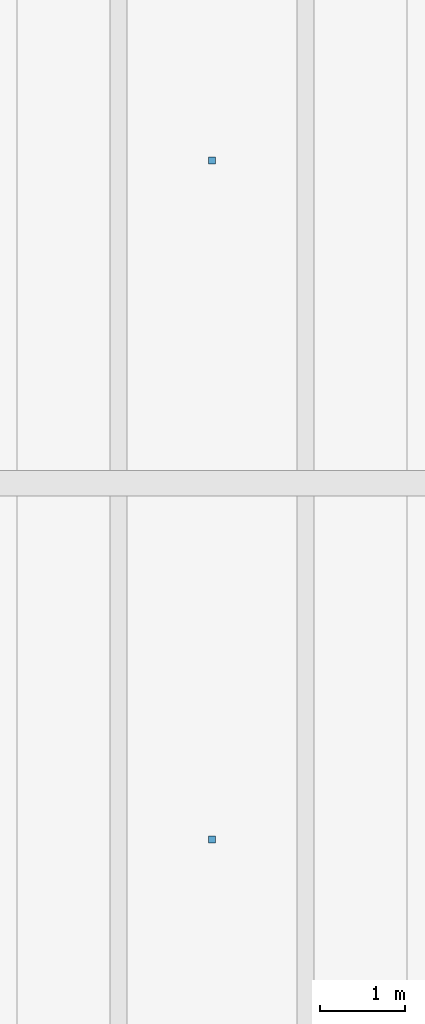
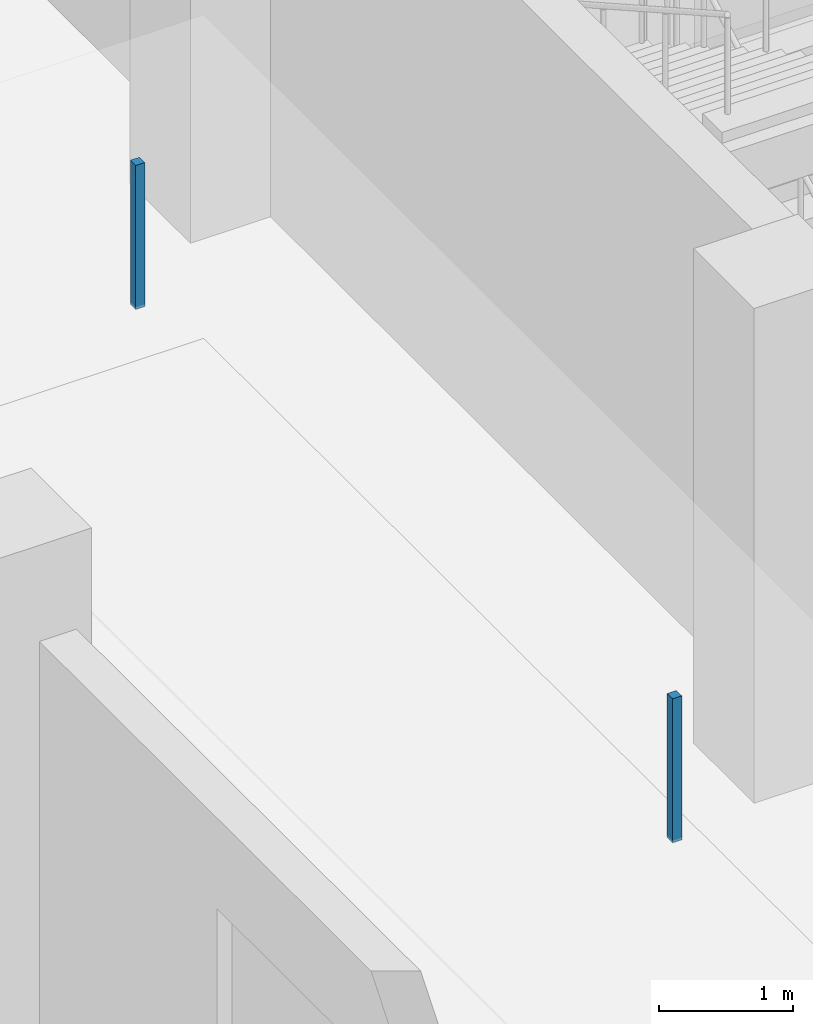
# One storey, part 56 of 76: 2 discrete accessories.
"""IFC4 building model written with IfcOpenShell, lengths in metres."""

import ifcopenshell
import ifcopenshell.guid

model = None  # the IFC model being written
_history = None  # IfcOwnerHistory: only IFC2X3 demands one
_inside = {}  # id of a spatial element -> (the spatial element, [elements in it])
_under = {}  # id of a project, library or spatial element -> (it, [spatial elements below it])
_declared = {}  # id of a project -> (the project, [libraries it declares])
_typed = {}  # id of a type object -> (the type object, [elements of that type])
_made_of = {}  # id of a material, layer set ... -> (it, [elements and type objects made of it])


def new_model(schema):
    """Start an empty IFC model of exactly this schema.

    Asked for "IFC4X3", IfcOpenShell would pick the latest addendum, in which some entities
    have other attributes; the version numbers below select the first issue.
    IFC2X3 requires an IfcOwnerHistory on every rooted entity: one is made here for all.
    """
    global model, _history
    if schema == "IFC4X3":
        model = ifcopenshell.file(schema_version=(4, 3, 0, 0))
    else:
        model = ifcopenshell.file(schema=schema)
    _inside.clear()
    _under.clear()
    _declared.clear()
    _typed.clear()
    _made_of.clear()
    _history = None
    if model.schema == "IFC2X3":
        org = make("IfcOrganization", Name="unknown")
        user = make(
            "IfcPersonAndOrganization",
            ThePerson=make("IfcPerson", FamilyName="unknown"),
            TheOrganization=org,
        )
        app = make(
            "IfcApplication",
            ApplicationDeveloper=org,
            Version="unknown",
            ApplicationFullName="unknown",
            ApplicationIdentifier="unknown",
        )
        _history = make(
            "IfcOwnerHistory",
            OwningUser=user,
            OwningApplication=app,
            ChangeAction="ADDED",
            CreationDate=0,
        )
    return model


def make(cls, **values):
    """One entity of the class cls with the attributes given. An attribute that is None is left unset."""
    return model.create_entity(
        cls, **{name: value for name, value in values.items() if value is not None}
    )


def rooted(cls, **values):
    """An entity with a GlobalId (a new one), such as an element, a storey or a relation."""
    return make(cls, GlobalId=ifcopenshell.guid.new(), OwnerHistory=_history, **values)


def si_unit(unit_type, name, prefix=None):
    """IfcSIUnit, for example si_unit("LENGTHUNIT", "METRE", prefix="MILLI")."""
    return make("IfcSIUnit", UnitType=unit_type, Prefix=prefix, Name=name)


def assignment(units):
    """IfcUnitAssignment: the units of a project."""
    return None if units is None else make("IfcUnitAssignment", Units=units)


def point(xyz):
    """IfcCartesianPoint."""
    return None if xyz is None else make("IfcCartesianPoint", Coordinates=xyz)


def direction(xyz):
    """IfcDirection."""
    return None if xyz is None else make("IfcDirection", DirectionRatios=xyz)


def frame(location, z_axis=None, x_axis=None):
    """IfcAxis2Placement3D, a coordinate frame: its origin and axes. An axis left out is left unset."""
    return make(
        "IfcAxis2Placement3D",
        Location=point(location),
        Axis=direction(z_axis),
        RefDirection=direction(x_axis),
    )


def frame_2d(location, x_axis=None):
    """IfcAxis2Placement2D, a coordinate frame in the plane: its origin and x axis."""
    return make(
        "IfcAxis2Placement2D", Location=point(location), RefDirection=direction(x_axis)
    )


def origin():
    """The frame at (0, 0, 0) with its axes left unset."""
    return frame((0.0, 0.0, 0.0))


def origin_2d():
    """The frame at (0, 0) in the plane with its x axis left unset."""
    return frame_2d((0.0, 0.0))


def place(relative_to, where):
    """IfcLocalPlacement: puts the frame where relative to a parent placement (None: the world)."""
    return make(
        "IfcLocalPlacement", PlacementRelTo=relative_to, RelativePlacement=where
    )


def context(
    kind, dimensions, precision=None, world=None, true_north=None, identifier=None
):
    """IfcGeometricRepresentationContext, for example the 3D "Model" context."""
    return make(
        "IfcGeometricRepresentationContext",
        ContextIdentifier=identifier,
        ContextType=kind,
        CoordinateSpaceDimension=dimensions,
        Precision=precision,
        WorldCoordinateSystem=world,
        TrueNorth=true_north,
    )


def subcontext(parent, identifier, kind, view, scale=None):
    """IfcGeometricRepresentationSubContext, for example "Body" below "Model"."""
    return make(
        "IfcGeometricRepresentationSubContext",
        ContextIdentifier=identifier,
        ContextType=kind,
        ParentContext=parent,
        TargetScale=scale,
        TargetView=view,
    )


def project(units=None, contexts=None):
    """IfcProject with its units and contexts."""
    return rooted(
        "IfcProject",
        Name="project",
        RepresentationContexts=contexts,
        UnitsInContext=assignment(units),
    )


def spatial(cls, under=None, at=None, **own):
    """A site, building, storey or space (cls), placed at a placement, below another one or the project."""
    s = rooted(cls, ObjectPlacement=at, **own)
    if under is not None:
        _under.setdefault(under.id(), (under, []))[1].append(s)
    return s


def profile(cls, at=None, kind="AREA", **sizes):
    """A parametric profile (cls). Its sizes go by their IFC names, for example OverallWidth=200.0."""
    return make(cls, ProfileType=kind, Position=at, **sizes)


def rectangle(**sizes):
    """IfcRectangleProfileDef."""
    return profile("IfcRectangleProfileDef", **sizes)


def extrude(swept, where, along, depth):
    """IfcExtrudedAreaSolid: the profile swept, set in the frame where, extruded along a direction by depth."""
    return make(
        "IfcExtrudedAreaSolid",
        SweptArea=swept,
        Position=where,
        ExtrudedDirection=direction(along),
        Depth=depth,
    )


def shape(context_of_items, identifier, shape_type, items):
    """IfcShapeRepresentation: the items that make up one representation, for example the "Body"."""
    return make(
        "IfcShapeRepresentation",
        ContextOfItems=context_of_items,
        RepresentationIdentifier=identifier,
        RepresentationType=shape_type,
        Items=items,
    )


def material(Name=None, Category=None):
    """IfcMaterial."""
    return make("IfcMaterial", Name=Name, Category=Category)


def layer(
    of_material, thickness, ventilated=None, Name=None, Category=None, Priority=None
):
    """IfcMaterialLayer: one layer of a wall or slab, of a material (None: an air gap)."""
    return make(
        "IfcMaterialLayer",
        Material=of_material,
        LayerThickness=thickness,
        IsVentilated=ventilated,
        Name=Name,
        Category=Category,
        Priority=Priority,
    )


def layer_set(layers, Name=None):
    """IfcMaterialLayerSet."""
    return make("IfcMaterialLayerSet", MaterialLayers=layers, LayerSetName=Name)


def made_of(thing, what):
    """Note that an element or type object is made of a material, layer set ...; save() writes the relation."""
    if what is not None:
        _made_of.setdefault(what.id(), (what, []))[1].append(thing)
    return thing


def type_object(cls, material=None, **own):
    """A type object (cls), such as IfcWallType, which elements share."""
    return made_of(rooted(cls, **own), material)


def element(
    cls,
    number,
    at=None,
    inside=None,
    cuts=None,
    type_object=None,
    material=None,
    context=None,
    identifier="Body",
    shape_type=None,
    held_by="IfcProductDefinitionShape",
    body=None,
    shapes=None,
    **own,
):
    """One element of the class cls, such as IfcWall. Its Tag is "e" and its number.

    at: its placement. inside: the storey or other place that contains it. cuts: it is an
    opening in that element (IfcRelVoidsElement). A single representation is given by context,
    identifier, shape_type and body (its items); several are given by shapes. held_by: the class
    of the entity that holds the representations. save() writes the other relations.
    """
    e = rooted(cls, Tag="e%d" % number, ObjectPlacement=at, **own)
    if body is not None:
        shapes = [shape(context, identifier, shape_type, body)]
    if shapes is not None:
        e.Representation = make(held_by, Representations=shapes)
    if inside is not None:
        _inside.setdefault(inside.id(), (inside, []))[1].append(e)
    if cuts is not None:
        rooted(
            "IfcRelVoidsElement", RelatingBuildingElement=cuts, RelatedOpeningElement=e
        )
    if type_object is not None:
        _typed.setdefault(type_object.id(), (type_object, []))[1].append(e)
    return made_of(e, material)


def aggregate(whole, parts):
    """IfcRelAggregates: a whole, such as a stair, and the parts it consists of."""
    return rooted("IfcRelAggregates", RelatingObject=whole, RelatedObjects=parts)


def save(model, path):
    """Write the relations noted so far, then the file.

    IfcRelAggregates (storeys below a building ...), IfcRelContainedInSpatialStructure (elements
    in a storey), IfcRelDefinesByType, IfcRelAssociatesMaterial and IfcRelDeclares: one each for
    every whole, place, type object, material and project.
    """
    for whole, parts in _under.values():
        aggregate(whole, parts)
    for where, things in _inside.values():
        rooted(
            "IfcRelContainedInSpatialStructure",
            RelatedElements=things,
            RelatingStructure=where,
        )
    for kind, things in _typed.values():
        rooted("IfcRelDefinesByType", RelatedObjects=things, RelatingType=kind)
    for what, things in _made_of.values():
        rooted("IfcRelAssociatesMaterial", RelatedObjects=things, RelatingMaterial=what)
    for by, libraries in _declared.values():
        rooted("IfcRelDeclares", RelatingContext=by, RelatedDefinitions=libraries)
    model.write(path)


model = new_model("IFC4")

# Units and contexts
model_context = context("Model", 3, precision=1e-05, world=origin(), true_north=direction((0.0, 1.0)))
body_context = subcontext(model_context, "Body", "Model", "MODEL_VIEW")
ifc_project = project(units=[si_unit("LENGTHUNIT", "METRE"), si_unit("AREAUNIT", "SQUARE_METRE"), si_unit("VOLUMEUNIT", "CUBIC_METRE"), si_unit("PLANEANGLEUNIT", "RADIAN"), si_unit("MASSUNIT", "GRAM", prefix="KILO")], contexts=[model_context])

# Site, building, storey
site_placement = place(None, origin())
site = spatial("IfcSite", under=ifc_project, at=site_placement, CompositionType="ELEMENT")
building_placement = place(site_placement, origin())
building = spatial("IfcBuilding", under=site, at=building_placement, Name="Qaldarim Faculty of Natural and Applied Sciences", CompositionType="ELEMENT")
storey_placement = place(building_placement, frame((0.0, 0.0, 9.89990234375)))
storey = spatial("IfcBuildingStorey", under=building, at=storey_placement, Name="L02", CompositionType="ELEMENT", Elevation=9.89990234375)

# Discrete accessories
ifc_material = material(Name="Architectural stainless steel 316", Category="steel")
ifc_layer = layer(ifc_material, 0.080078125)
ifc_layer_set = layer_set([ifc_layer], Name="Architectural stainless steel 316")
discrete_accessory_type = type_object("IfcDiscreteAccessoryType", Name="FacadeBracket-SS120", PredefinedType="BRACKET", material=ifc_layer_set)
for number, where, z_axis, x_axis, name in (
    (1, (161.699951171875, 21.0, 2.949951171875), (0.0, 0.0, 1.0), (1.0, 0.0, 0.0), "Ceiling suspension hanger L02 1"),
    (2, (161.699951171875, 29.0, 2.949951171875), (0.0, 0.0, 1.0), (1.0, 0.0, 0.0), "Ceiling suspension hanger L02 2"),
):
    element("IfcDiscreteAccessory", number, at=place(storey_placement, frame(where, z_axis=z_axis, x_axis=x_axis)), inside=storey, type_object=discrete_accessory_type, Name=name, PredefinedType="BRACKET", context=body_context, shape_type="SweptSolid", body=[
        extrude(rectangle(XDim=0.080078125, YDim=0.080078125, at=origin_2d()), origin(), (0.0, 0.0, 1.0), 1.31005859375),
    ])

save(model, "model.ifc")
